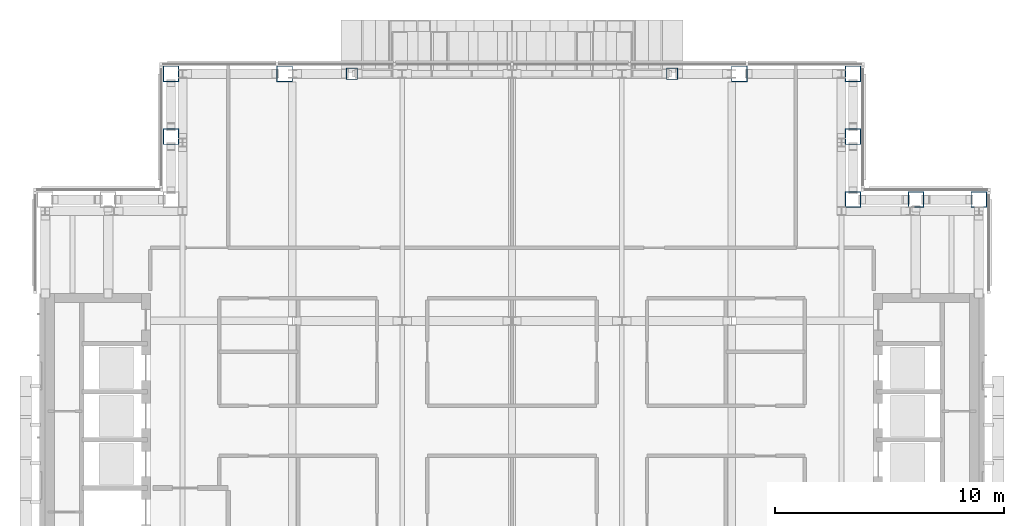
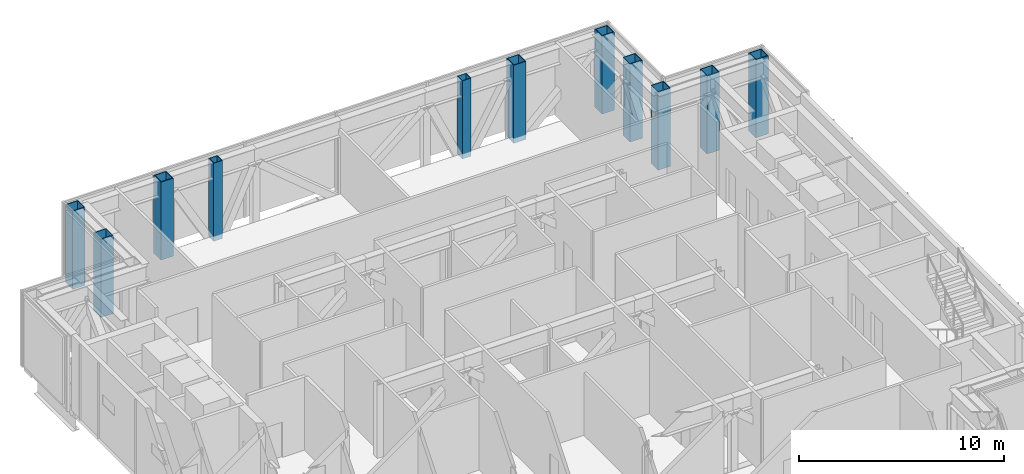
# One storey, part 2 of 26: 11 columns.
"""IFC4 building model written with IfcOpenShell, lengths in metres."""

from ifc_helpers import new_model, si_unit, direction, frame, origin, origin_2d, place, context, subcontext, project, spatial, hollow_rectangle, extrude, material, material_profile, profile_set, type_object, element, save


model = new_model("IFC4")

# Units and contexts
model_context = context("Model", 3, precision=1e-05, world=origin(), true_north=direction((0.0, 1.0)))
body_context = subcontext(model_context, "Body", "Model", "MODEL_VIEW")
ifc_project = project(units=[si_unit("LENGTHUNIT", "METRE"), si_unit("AREAUNIT", "SQUARE_METRE"), si_unit("VOLUMEUNIT", "CUBIC_METRE"), si_unit("PLANEANGLEUNIT", "RADIAN"), si_unit("MASSUNIT", "GRAM", prefix="KILO")], contexts=[model_context])

# Site, building, storey
site_placement = place(None, origin())
site = spatial("IfcSite", under=ifc_project, at=site_placement, CompositionType="ELEMENT")
building_placement = place(site_placement, origin())
building = spatial("IfcBuilding", under=site, at=building_placement, Name="Cobrizo Arcos Hotel Tower", CompositionType="ELEMENT")
storey_placement = place(building_placement, frame((0.0, 0.0, 236.5)))
storey = spatial("IfcBuildingStorey", under=building, at=storey_placement, Name="L62", CompositionType="ELEMENT", Elevation=236.5)

# Columns
ifc_material = material(Name="Steel ASTM A572 Grade 50", Category="steel")
ifc_material_profile_1 = material_profile(ifc_material, hollow_rectangle(XDim=0.5, YDim=0.5, WallThickness=0.030029296875, at=origin_2d()), Name="BOX 500X500X30")
ifc_profile_set_1 = profile_set([ifc_material_profile_1], Name="Steel ASTM A572 Grade 50")
column_type_1 = type_object("IfcColumnType", Name="BOX 500X500X30 column", PredefinedType="COLUMN", material=ifc_profile_set_1)
for number, where, z_axis, x_axis, name in (
    (1, (-7.0, 20.39990234375, -0.300048828125), (0.0, 0.0, 1.0), (1.0, 0.0, 0.0), "Perimeter column C11, L62, no. 24"),
    (2, (7.0, 20.39990234375, -0.300048828125), (0.0, 0.0, 1.0), (1.0, 0.0, 0.0), "Perimeter column C11, L62, no. 26"),
):
    element("IfcColumn", number, at=place(storey_placement, frame(where, z_axis=z_axis, x_axis=x_axis)), inside=storey, type_object=column_type_1, Name=name, PredefinedType="COLUMN", context=body_context, shape_type="SweptSolid", body=[
        extrude(hollow_rectangle(XDim=0.5, YDim=0.5, WallThickness=0.030029296875, at=origin_2d()), origin(), (0.0, 0.0, 1.0), 4.650146484375),
    ])
ifc_material_profile_2 = material_profile(ifc_material, hollow_rectangle(XDim=0.699951171875, YDim=0.699951171875, WallThickness=0.0400390625, at=origin_2d()), Name="BOX 700X700X40")
ifc_profile_set_2 = profile_set([ifc_material_profile_2], Name="Steel ASTM A572 Grade 50")
column_type_2 = type_object("IfcColumnType", Name="BOX 700X700X40 column", PredefinedType="COLUMN", material=ifc_profile_set_2)
for number, where, z_axis, x_axis, name in (
    (3, (-14.89990234375, 20.39990234375, -0.300048828125), (0.0, 0.0, 1.0), (1.0, 0.0, 0.0), "Perimeter column C10, L62, no. 00"),
    (4, (-9.93310546875, 20.39990234375, -0.300048828125), (0.0, 0.0, 1.0), (1.0, 0.0, 0.0), "Perimeter column C10, L62, no. 02"),
    (5, (9.93310546875, 20.39990234375, -0.300048828125), (0.0, 0.0, 1.0), (1.0, 0.0, 0.0), "Perimeter column C10, L62, no. 04"),
    (6, (14.89990234375, 20.39990234375, -0.300048828125), (0.0, 0.0, 1.0), (1.0, 0.0, 0.0), "Perimeter column C10, L62, no. 06"),
    (7, (20.39990234375, 14.89990234375, -0.300048828125), (0.0, 0.0, 1.0), (1.0, 0.0, 0.0), "Perimeter column C10, L62, no. 10"),
    (8, (-14.89990234375, 17.64990234375, -0.300048828125), (0.0, 0.0, 1.0), (1.0, 0.0, 0.0), "Perimeter column C10, L62, no. 16"),
    (9, (14.89990234375, 14.89990234375, -0.300048828125), (0.0, 0.0, 1.0), (1.0, 0.0, 0.0), "Perimeter column C10, L62, no. 21"),
    (10, (14.89990234375, 17.64990234375, -0.300048828125), (0.0, 0.0, 1.0), (1.0, 0.0, 0.0), "Perimeter column C10, L62, no. 22"),
    (11, (17.64990234375, 14.89990234375, -0.300048828125), (0.0, 0.0, 1.0), (1.0, 0.0, 0.0), "Perimeter column C10, L62, no. 23"),
):
    element("IfcColumn", number, at=place(storey_placement, frame(where, z_axis=z_axis, x_axis=x_axis)), inside=storey, type_object=column_type_2, Name=name, PredefinedType="COLUMN", context=body_context, shape_type="SweptSolid", body=[
        extrude(hollow_rectangle(XDim=0.699951171875, YDim=0.699951171875, WallThickness=0.0400390625, at=origin_2d()), origin(), (0.0, 0.0, 1.0), 4.650146484375),
    ])

save(model, "model.ifc")
